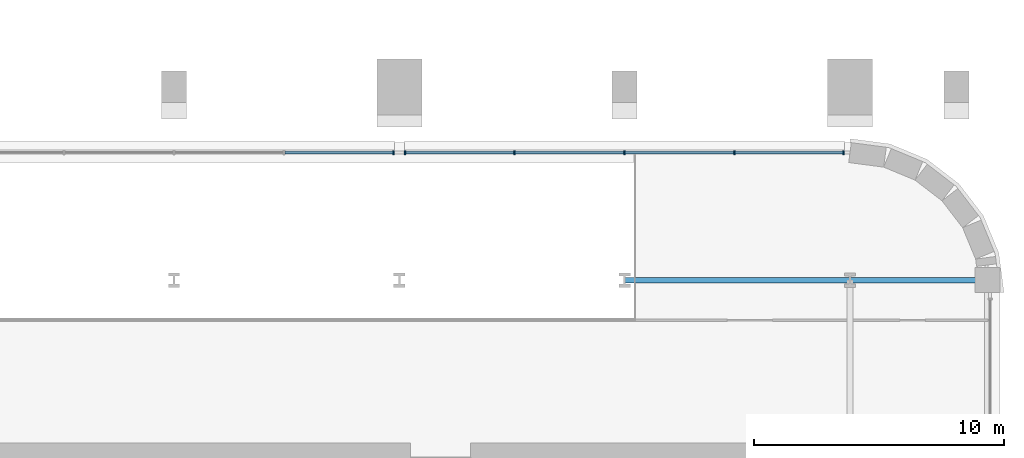
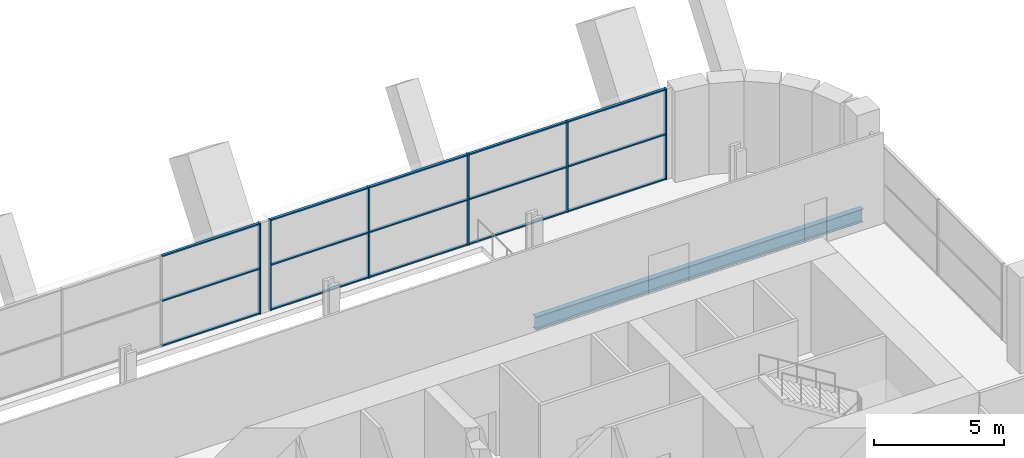
# One storey, part 9 of 21: 21 members, 1 beam, 2 elements without a shape of their own.
"""IFC4 building model written with IfcOpenShell, lengths in metres."""

import ifcopenshell
import ifcopenshell.guid

model = None  # the IFC model being written
_history = None  # IfcOwnerHistory: only IFC2X3 demands one
_inside = {}  # id of a spatial element -> (the spatial element, [elements in it])
_under = {}  # id of a project, library or spatial element -> (it, [spatial elements below it])
_declared = {}  # id of a project -> (the project, [libraries it declares])
_typed = {}  # id of a type object -> (the type object, [elements of that type])
_made_of = {}  # id of a material, layer set ... -> (it, [elements and type objects made of it])


def new_model(schema):
    """Start an empty IFC model of exactly this schema.

    Asked for "IFC4X3", IfcOpenShell would pick the latest addendum, in which some entities
    have other attributes; the version numbers below select the first issue.
    IFC2X3 requires an IfcOwnerHistory on every rooted entity: one is made here for all.
    """
    global model, _history
    if schema == "IFC4X3":
        model = ifcopenshell.file(schema_version=(4, 3, 0, 0))
    else:
        model = ifcopenshell.file(schema=schema)
    _inside.clear()
    _under.clear()
    _declared.clear()
    _typed.clear()
    _made_of.clear()
    _history = None
    if model.schema == "IFC2X3":
        org = make("IfcOrganization", Name="unknown")
        user = make(
            "IfcPersonAndOrganization",
            ThePerson=make("IfcPerson", FamilyName="unknown"),
            TheOrganization=org,
        )
        app = make(
            "IfcApplication",
            ApplicationDeveloper=org,
            Version="unknown",
            ApplicationFullName="unknown",
            ApplicationIdentifier="unknown",
        )
        _history = make(
            "IfcOwnerHistory",
            OwningUser=user,
            OwningApplication=app,
            ChangeAction="ADDED",
            CreationDate=0,
        )
    return model


def make(cls, **values):
    """One entity of the class cls with the attributes given. An attribute that is None is left unset."""
    return model.create_entity(
        cls, **{name: value for name, value in values.items() if value is not None}
    )


def rooted(cls, **values):
    """An entity with a GlobalId (a new one), such as an element, a storey or a relation."""
    return make(cls, GlobalId=ifcopenshell.guid.new(), OwnerHistory=_history, **values)


def si_unit(unit_type, name, prefix=None):
    """IfcSIUnit, for example si_unit("LENGTHUNIT", "METRE", prefix="MILLI")."""
    return make("IfcSIUnit", UnitType=unit_type, Prefix=prefix, Name=name)


def assignment(units):
    """IfcUnitAssignment: the units of a project."""
    return None if units is None else make("IfcUnitAssignment", Units=units)


def point(xyz):
    """IfcCartesianPoint."""
    return None if xyz is None else make("IfcCartesianPoint", Coordinates=xyz)


def direction(xyz):
    """IfcDirection."""
    return None if xyz is None else make("IfcDirection", DirectionRatios=xyz)


def frame(location, z_axis=None, x_axis=None):
    """IfcAxis2Placement3D, a coordinate frame: its origin and axes. An axis left out is left unset."""
    return make(
        "IfcAxis2Placement3D",
        Location=point(location),
        Axis=direction(z_axis),
        RefDirection=direction(x_axis),
    )


def frame_2d(location, x_axis=None):
    """IfcAxis2Placement2D, a coordinate frame in the plane: its origin and x axis."""
    return make(
        "IfcAxis2Placement2D", Location=point(location), RefDirection=direction(x_axis)
    )


def origin():
    """The frame at (0, 0, 0) with its axes left unset."""
    return frame((0.0, 0.0, 0.0))


def origin_2d():
    """The frame at (0, 0) in the plane with its x axis left unset."""
    return frame_2d((0.0, 0.0))


def place(relative_to, where):
    """IfcLocalPlacement: puts the frame where relative to a parent placement (None: the world)."""
    return make(
        "IfcLocalPlacement", PlacementRelTo=relative_to, RelativePlacement=where
    )


def context(
    kind, dimensions, precision=None, world=None, true_north=None, identifier=None
):
    """IfcGeometricRepresentationContext, for example the 3D "Model" context."""
    return make(
        "IfcGeometricRepresentationContext",
        ContextIdentifier=identifier,
        ContextType=kind,
        CoordinateSpaceDimension=dimensions,
        Precision=precision,
        WorldCoordinateSystem=world,
        TrueNorth=true_north,
    )


def subcontext(parent, identifier, kind, view, scale=None):
    """IfcGeometricRepresentationSubContext, for example "Body" below "Model"."""
    return make(
        "IfcGeometricRepresentationSubContext",
        ContextIdentifier=identifier,
        ContextType=kind,
        ParentContext=parent,
        TargetScale=scale,
        TargetView=view,
    )


def project(units=None, contexts=None):
    """IfcProject with its units and contexts."""
    return rooted(
        "IfcProject",
        Name="project",
        RepresentationContexts=contexts,
        UnitsInContext=assignment(units),
    )


def spatial(cls, under=None, at=None, **own):
    """A site, building, storey or space (cls), placed at a placement, below another one or the project."""
    s = rooted(cls, ObjectPlacement=at, **own)
    if under is not None:
        _under.setdefault(under.id(), (under, []))[1].append(s)
    return s


def profile(cls, at=None, kind="AREA", **sizes):
    """A parametric profile (cls). Its sizes go by their IFC names, for example OverallWidth=200.0."""
    return make(cls, ProfileType=kind, Position=at, **sizes)


def rectangle(**sizes):
    """IfcRectangleProfileDef."""
    return profile("IfcRectangleProfileDef", **sizes)


def i_section(**sizes):
    """IfcIShapeProfileDef."""
    return profile("IfcIShapeProfileDef", **sizes)


def extrude(swept, where, along, depth):
    """IfcExtrudedAreaSolid: the profile swept, set in the frame where, extruded along a direction by depth."""
    return make(
        "IfcExtrudedAreaSolid",
        SweptArea=swept,
        Position=where,
        ExtrudedDirection=direction(along),
        Depth=depth,
    )


def shape(context_of_items, identifier, shape_type, items):
    """IfcShapeRepresentation: the items that make up one representation, for example the "Body"."""
    return make(
        "IfcShapeRepresentation",
        ContextOfItems=context_of_items,
        RepresentationIdentifier=identifier,
        RepresentationType=shape_type,
        Items=items,
    )


def material(Name=None, Category=None):
    """IfcMaterial."""
    return make("IfcMaterial", Name=Name, Category=Category)


def material_profile(
    of_material, cross_section, Name=None, Category=None, Priority=None
):
    """IfcMaterialProfile: a cross section and its material."""
    return make(
        "IfcMaterialProfile",
        Name=Name,
        Material=of_material,
        Profile=cross_section,
        Priority=Priority,
        Category=Category,
    )


def profile_set(profiles, Name=None, composite=None):
    """IfcMaterialProfileSet."""
    return make(
        "IfcMaterialProfileSet",
        Name=Name,
        MaterialProfiles=profiles,
        CompositeProfile=composite,
    )


def made_of(thing, what):
    """Note that an element or type object is made of a material, layer set ...; save() writes the relation."""
    if what is not None:
        _made_of.setdefault(what.id(), (what, []))[1].append(thing)
    return thing


def type_object(cls, material=None, **own):
    """A type object (cls), such as IfcWallType, which elements share."""
    return made_of(rooted(cls, **own), material)


def element(
    cls,
    number,
    at=None,
    inside=None,
    cuts=None,
    type_object=None,
    material=None,
    context=None,
    identifier="Body",
    shape_type=None,
    held_by="IfcProductDefinitionShape",
    body=None,
    shapes=None,
    **own,
):
    """One element of the class cls, such as IfcWall. Its Tag is "e" and its number.

    at: its placement. inside: the storey or other place that contains it. cuts: it is an
    opening in that element (IfcRelVoidsElement). A single representation is given by context,
    identifier, shape_type and body (its items); several are given by shapes. held_by: the class
    of the entity that holds the representations. save() writes the other relations.
    """
    e = rooted(cls, Tag="e%d" % number, ObjectPlacement=at, **own)
    if body is not None:
        shapes = [shape(context, identifier, shape_type, body)]
    if shapes is not None:
        e.Representation = make(held_by, Representations=shapes)
    if inside is not None:
        _inside.setdefault(inside.id(), (inside, []))[1].append(e)
    if cuts is not None:
        rooted(
            "IfcRelVoidsElement", RelatingBuildingElement=cuts, RelatedOpeningElement=e
        )
    if type_object is not None:
        _typed.setdefault(type_object.id(), (type_object, []))[1].append(e)
    return made_of(e, material)


def aggregate(whole, parts):
    """IfcRelAggregates: a whole, such as a stair, and the parts it consists of."""
    return rooted("IfcRelAggregates", RelatingObject=whole, RelatedObjects=parts)


def save(model, path):
    """Write the relations noted so far, then the file.

    IfcRelAggregates (storeys below a building ...), IfcRelContainedInSpatialStructure (elements
    in a storey), IfcRelDefinesByType, IfcRelAssociatesMaterial and IfcRelDeclares: one each for
    every whole, place, type object, material and project.
    """
    for whole, parts in _under.values():
        aggregate(whole, parts)
    for where, things in _inside.values():
        rooted(
            "IfcRelContainedInSpatialStructure",
            RelatedElements=things,
            RelatingStructure=where,
        )
    for kind, things in _typed.values():
        rooted("IfcRelDefinesByType", RelatedObjects=things, RelatingType=kind)
    for what, things in _made_of.values():
        rooted("IfcRelAssociatesMaterial", RelatedObjects=things, RelatingMaterial=what)
    for by, libraries in _declared.values():
        rooted("IfcRelDeclares", RelatingContext=by, RelatedDefinitions=libraries)
    model.write(path)


model = new_model("IFC4")

# Units and contexts
model_context = context("Model", 3, precision=1e-05, world=origin(), true_north=direction((0.0, 1.0)))
body_context = subcontext(model_context, "Body", "Model", "MODEL_VIEW")
ifc_project = project(units=[si_unit("LENGTHUNIT", "METRE"), si_unit("AREAUNIT", "SQUARE_METRE"), si_unit("VOLUMEUNIT", "CUBIC_METRE"), si_unit("PLANEANGLEUNIT", "RADIAN"), si_unit("MASSUNIT", "GRAM", prefix="KILO")], contexts=[model_context])

# Site, building, storey
site_placement = place(None, origin())
site = spatial("IfcSite", under=ifc_project, at=site_placement, CompositionType="ELEMENT")
building_placement = place(site_placement, origin())
building = spatial("IfcBuilding", under=site, at=building_placement, Name="Zellij Exchange Tower", CompositionType="ELEMENT")
storey_placement = place(building_placement, frame((0.0, 0.0, 43.5)))
storey = spatial("IfcBuildingStorey", under=building, at=storey_placement, Name="L07", CompositionType="ELEMENT", Elevation=43.5)

# Curtain wall, members
ifc_material_1 = material(Name="Aluminium frame, clear insulating glass", Category="aluminium")
curtain_wall_type = type_object("IfcCurtainWallType", Name="ENV-CW1 Sky-garden glazing", PredefinedType="NOTDEFINED", material=ifc_material_1)
curtain_wall_1_placement = place(storey_placement, origin())
curtain_wall_1 = element("IfcCurtainWall", 1, at=curtain_wall_1_placement, inside=storey, type_object=curtain_wall_type, Name="cw.L07.14a", PredefinedType="NOTDEFINED")
ifc_material_2 = material(Name="Aluminium", Category="aluminium")
ifc_material_profile_1 = material_profile(ifc_material_2, rectangle(XDim=0.06005859375, YDim=0.159912109375, at=origin_2d()), Name="AL 60x160")
ifc_profile_set_1 = profile_set([ifc_material_profile_1], Name="Aluminium")
member_type_1 = type_object("IfcMemberType", Name="ENV-CW1M Mullion 60x160", PredefinedType="MULLION", material=ifc_profile_set_1)
member_1_placement = place(storey_placement, frame((26.743896484375, 9.60009765625, 0.0), z_axis=(0.0, 0.0, 1.0), x_axis=(-1.0, 0.0, 0.0)))
member_1 = element("IfcMember", 2, at=member_1_placement, type_object=member_type_1, Name="CW1 mullion 1", PredefinedType="MULLION", context=body_context, shape_type="SweptSolid", body=[
    extrude(rectangle(XDim=0.06005859375, YDim=0.159912109375, at=origin_2d()), origin(), (0.0, 0.0, 1.0), 4.25),
])
member_2_placement = place(storey_placement, frame((22.38037109375, 9.60009765625, 0.0), z_axis=(0.0, 0.0, 1.0), x_axis=(-1.0, 0.0, 0.0)))
member_2 = element("IfcMember", 3, at=member_2_placement, type_object=member_type_1, Name="CW1 mullion 2", PredefinedType="MULLION", context=body_context, shape_type="SweptSolid", body=[
    extrude(rectangle(XDim=0.06005859375, YDim=0.159912109375, at=origin_2d()), origin(), (0.0, 0.0, 1.0), 4.25),
])
member_3_placement = place(storey_placement, frame((17.98681640625, 9.60009765625, 0.0), z_axis=(0.0, 0.0, 1.0), x_axis=(-1.0, 0.0, 0.0)))
member_3 = element("IfcMember", 4, at=member_3_placement, type_object=member_type_1, Name="CW1 mullion 3", PredefinedType="MULLION", context=body_context, shape_type="SweptSolid", body=[
    extrude(rectangle(XDim=0.06005859375, YDim=0.159912109375, at=origin_2d()), origin(), (0.0, 0.0, 1.0), 4.25),
])
member_4_placement = place(storey_placement, frame((13.593505859375, 9.60009765625, 0.0), z_axis=(0.0, 0.0, 1.0), x_axis=(-1.0, 0.0, 0.0)))
member_4 = element("IfcMember", 5, at=member_4_placement, type_object=member_type_1, Name="CW1 mullion 4", PredefinedType="MULLION", context=body_context, shape_type="SweptSolid", body=[
    extrude(rectangle(XDim=0.06005859375, YDim=0.159912109375, at=origin_2d()), origin(), (0.0, 0.0, 1.0), 4.25),
])
member_5_placement = place(storey_placement, frame((9.22998046875, 9.60009765625, 0.0), z_axis=(0.0, 0.0, 1.0), x_axis=(-1.0, 0.0, 0.0)))
member_5 = element("IfcMember", 6, at=member_5_placement, type_object=member_type_1, Name="CW1 mullion 5", PredefinedType="MULLION", context=body_context, shape_type="SweptSolid", body=[
    extrude(rectangle(XDim=0.06005859375, YDim=0.159912109375, at=origin_2d()), origin(), (0.0, 0.0, 1.0), 4.25),
])

# Curtain wall, member
curtain_wall_2_placement = place(storey_placement, origin())
curtain_wall_2 = element("IfcCurtainWall", 7, at=curtain_wall_2_placement, inside=storey, type_object=curtain_wall_type, Name="cw.L07.14b", PredefinedType="NOTDEFINED")
member_6_placement = place(storey_placement, frame((8.77001953125, 9.60009765625, 0.0), z_axis=(0.0, 0.0, 1.0), x_axis=(-1.0, 0.0, 0.0)))
member_6 = element("IfcMember", 8, at=member_6_placement, type_object=member_type_1, Name="CW1 mullion 1", PredefinedType="MULLION", context=body_context, shape_type="SweptSolid", body=[
    extrude(rectangle(XDim=0.06005859375, YDim=0.159912109375, at=origin_2d()), origin(), (0.0, 0.0, 1.0), 4.25),
])

# Member
ifc_material_profile_2 = material_profile(ifc_material_2, rectangle(XDim=0.1201171875, YDim=0.06005859375, at=origin_2d()), Name="AL 120x60")
ifc_profile_set_2 = profile_set([ifc_material_profile_2], Name="Aluminium")
member_type_2 = type_object("IfcMemberType", Name="ENV-CW1T Transom 120x60", PredefinedType="USERDEFINED", material=ifc_profile_set_2)
member_7_placement = place(storey_placement, frame((26.7138671875, 9.60009765625, 0.030029296875), z_axis=(-1.0, 0.0, 0.0), x_axis=(0.0, -1.0, 0.0)))
member_7 = element("IfcMember", 9, at=member_7_placement, type_object=member_type_2, Name="CW1 transom 1.1", ObjectType="TRANSOM", PredefinedType="USERDEFINED", context=body_context, shape_type="SweptSolid", body=[
    extrude(rectangle(XDim=0.1201171875, YDim=0.06005859375, at=origin_2d()), origin(), (0.0, 0.0, 1.0), 4.303466796875),
])

member_8_placement = place(storey_placement, frame((26.7138671875, 9.60009765625, 2.125), z_axis=(-1.0, 0.0, 0.0), x_axis=(0.0, -1.0, 0.0)))
member_8 = element("IfcMember", 10, at=member_8_placement, type_object=member_type_2, Name="CW1 transom 1.2", ObjectType="TRANSOM", PredefinedType="USERDEFINED", context=body_context, shape_type="SweptSolid", body=[
    extrude(rectangle(XDim=0.1201171875, YDim=0.06005859375, at=origin_2d()), origin(), (0.0, 0.0, 1.0), 4.303466796875),
])

member_9_placement = place(storey_placement, frame((26.7138671875, 9.60009765625, 4.219970703125), z_axis=(-1.0, 0.0, 0.0), x_axis=(0.0, -1.0, 0.0)))
member_9 = element("IfcMember", 11, at=member_9_placement, type_object=member_type_2, Name="CW1 transom 1.3", ObjectType="TRANSOM", PredefinedType="USERDEFINED", context=body_context, shape_type="SweptSolid", body=[
    extrude(rectangle(XDim=0.1201171875, YDim=0.06005859375, at=origin_2d()), origin(), (0.0, 0.0, 1.0), 4.303466796875),
])

member_10_placement = place(storey_placement, frame((22.350341796875, 9.60009765625, 0.030029296875), z_axis=(-1.0, 0.0, 0.0), x_axis=(0.0, -1.0, 0.0)))
member_10 = element("IfcMember", 12, at=member_10_placement, type_object=member_type_2, Name="CW1 transom 2.1", ObjectType="TRANSOM", PredefinedType="USERDEFINED", context=body_context, shape_type="SweptSolid", body=[
    extrude(rectangle(XDim=0.1201171875, YDim=0.06005859375, at=origin_2d()), origin(), (0.0, 0.0, 1.0), 4.33349609375),
])

member_11_placement = place(storey_placement, frame((22.350341796875, 9.60009765625, 2.125), z_axis=(-1.0, 0.0, 0.0), x_axis=(0.0, -1.0, 0.0)))
member_11 = element("IfcMember", 13, at=member_11_placement, type_object=member_type_2, Name="CW1 transom 2.2", ObjectType="TRANSOM", PredefinedType="USERDEFINED", context=body_context, shape_type="SweptSolid", body=[
    extrude(rectangle(XDim=0.1201171875, YDim=0.06005859375, at=origin_2d()), origin(), (0.0, 0.0, 1.0), 4.33349609375),
])

member_12_placement = place(storey_placement, frame((22.350341796875, 9.60009765625, 4.219970703125), z_axis=(-1.0, 0.0, 0.0), x_axis=(0.0, -1.0, 0.0)))
member_12 = element("IfcMember", 14, at=member_12_placement, type_object=member_type_2, Name="CW1 transom 2.3", ObjectType="TRANSOM", PredefinedType="USERDEFINED", context=body_context, shape_type="SweptSolid", body=[
    extrude(rectangle(XDim=0.1201171875, YDim=0.06005859375, at=origin_2d()), origin(), (0.0, 0.0, 1.0), 4.33349609375),
])

member_13_placement = place(storey_placement, frame((17.956787109375, 9.60009765625, 0.030029296875), z_axis=(-1.0, 0.0, 0.0), x_axis=(0.0, -1.0, 0.0)))
member_13 = element("IfcMember", 15, at=member_13_placement, type_object=member_type_2, Name="CW1 transom 3.1", ObjectType="TRANSOM", PredefinedType="USERDEFINED", context=body_context, shape_type="SweptSolid", body=[
    extrude(rectangle(XDim=0.1201171875, YDim=0.06005859375, at=origin_2d()), origin(), (0.0, 0.0, 1.0), 4.333251953125),
])

member_14_placement = place(storey_placement, frame((17.956787109375, 9.60009765625, 2.125), z_axis=(-1.0, 0.0, 0.0), x_axis=(0.0, -1.0, 0.0)))
member_14 = element("IfcMember", 16, at=member_14_placement, type_object=member_type_2, Name="CW1 transom 3.2", ObjectType="TRANSOM", PredefinedType="USERDEFINED", context=body_context, shape_type="SweptSolid", body=[
    extrude(rectangle(XDim=0.1201171875, YDim=0.06005859375, at=origin_2d()), origin(), (0.0, 0.0, 1.0), 4.333251953125),
])

member_15_placement = place(storey_placement, frame((17.956787109375, 9.60009765625, 4.219970703125), z_axis=(-1.0, 0.0, 0.0), x_axis=(0.0, -1.0, 0.0)))
member_15 = element("IfcMember", 17, at=member_15_placement, type_object=member_type_2, Name="CW1 transom 3.3", ObjectType="TRANSOM", PredefinedType="USERDEFINED", context=body_context, shape_type="SweptSolid", body=[
    extrude(rectangle(XDim=0.1201171875, YDim=0.06005859375, at=origin_2d()), origin(), (0.0, 0.0, 1.0), 4.333251953125),
])

member_16_placement = place(storey_placement, frame((13.5634765625, 9.60009765625, 0.030029296875), z_axis=(-1.0, 0.0, 0.0), x_axis=(0.0, -1.0, 0.0)))
member_16 = element("IfcMember", 18, at=member_16_placement, type_object=member_type_2, Name="CW1 transom 4.1", ObjectType="TRANSOM", PredefinedType="USERDEFINED", context=body_context, shape_type="SweptSolid", body=[
    extrude(rectangle(XDim=0.1201171875, YDim=0.06005859375, at=origin_2d()), origin(), (0.0, 0.0, 1.0), 4.303466796875),
])

member_17_placement = place(storey_placement, frame((13.5634765625, 9.60009765625, 2.125), z_axis=(-1.0, 0.0, 0.0), x_axis=(0.0, -1.0, 0.0)))
member_17 = element("IfcMember", 19, at=member_17_placement, type_object=member_type_2, Name="CW1 transom 4.2", ObjectType="TRANSOM", PredefinedType="USERDEFINED", context=body_context, shape_type="SweptSolid", body=[
    extrude(rectangle(XDim=0.1201171875, YDim=0.06005859375, at=origin_2d()), origin(), (0.0, 0.0, 1.0), 4.303466796875),
])

member_18_placement = place(storey_placement, frame((13.5634765625, 9.60009765625, 4.219970703125), z_axis=(-1.0, 0.0, 0.0), x_axis=(0.0, -1.0, 0.0)))
member_18 = element("IfcMember", 20, at=member_18_placement, type_object=member_type_2, Name="CW1 transom 4.3", ObjectType="TRANSOM", PredefinedType="USERDEFINED", context=body_context, shape_type="SweptSolid", body=[
    extrude(rectangle(XDim=0.1201171875, YDim=0.06005859375, at=origin_2d()), origin(), (0.0, 0.0, 1.0), 4.303466796875),
])

aggregate(curtain_wall_1, [member_1, member_2, member_3, member_4, member_5, member_7, member_8, member_9, member_10, member_11, member_12, member_13, member_14, member_15, member_16, member_17, member_18])

member_19_placement = place(storey_placement, frame((8.739990234375, 9.60009765625, 0.030029296875), z_axis=(-1.0, 0.0, 0.0), x_axis=(0.0, -1.0, 0.0)))
member_19 = element("IfcMember", 21, at=member_19_placement, type_object=member_type_2, Name="CW1 transom 1.1", ObjectType="TRANSOM", PredefinedType="USERDEFINED", context=body_context, shape_type="SweptSolid", body=[
    extrude(rectangle(XDim=0.1201171875, YDim=0.06005859375, at=origin_2d()), origin(), (0.0, 0.0, 1.0), 4.31005859375),
])

member_20_placement = place(storey_placement, frame((8.739990234375, 9.60009765625, 2.125), z_axis=(-1.0, 0.0, 0.0), x_axis=(0.0, -1.0, 0.0)))
member_20 = element("IfcMember", 22, at=member_20_placement, type_object=member_type_2, Name="CW1 transom 1.2", ObjectType="TRANSOM", PredefinedType="USERDEFINED", context=body_context, shape_type="SweptSolid", body=[
    extrude(rectangle(XDim=0.1201171875, YDim=0.06005859375, at=origin_2d()), origin(), (0.0, 0.0, 1.0), 4.31005859375),
])

member_21_placement = place(storey_placement, frame((8.739990234375, 9.60009765625, 4.219970703125), z_axis=(-1.0, 0.0, 0.0), x_axis=(0.0, -1.0, 0.0)))
member_21 = element("IfcMember", 23, at=member_21_placement, type_object=member_type_2, Name="CW1 transom 1.3", ObjectType="TRANSOM", PredefinedType="USERDEFINED", context=body_context, shape_type="SweptSolid", body=[
    extrude(rectangle(XDim=0.1201171875, YDim=0.06005859375, at=origin_2d()), origin(), (0.0, 0.0, 1.0), 4.31005859375),
])

aggregate(curtain_wall_2, [member_6, member_19, member_20, member_21])

# Beam
ifc_material_3 = material(Name="Structural steel ASTM A992 Gr 50", Category="steel")
ifc_material_profile_3 = material_profile(ifc_material_3, i_section(OverallWidth=0.22900390625, OverallDepth=0.612060546875, WebThickness=0.011962890625, FlangeThickness=0.01953125, at=origin_2d()), Name="W24x84")
ifc_profile_set_3 = profile_set([ifc_material_profile_3], Name="Structural steel ASTM A992 Gr 50")
beam_type = type_object("IfcBeamType", Name="STR-GIRDER W24x84", PredefinedType="BEAM", material=ifc_profile_set_3)
beam_placement = place(storey_placement, frame((18.0, 4.5, -0.55615234375), z_axis=(1.0, 0.0, 0.0), x_axis=(0.0, 1.0, 0.0)))
element("IfcBeam", 24, at=beam_placement, inside=storey, type_object=beam_type, Name="G4", PredefinedType="BEAM", context=body_context, shape_type="SweptSolid", body=[
    extrude(i_section(OverallWidth=0.22900390625, OverallDepth=0.612060546875, WebThickness=0.011962890625, FlangeThickness=0.01953125, at=origin_2d()), origin(), (0.0, 0.0, 1.0), 14.5),
])

save(model, "model.ifc")
